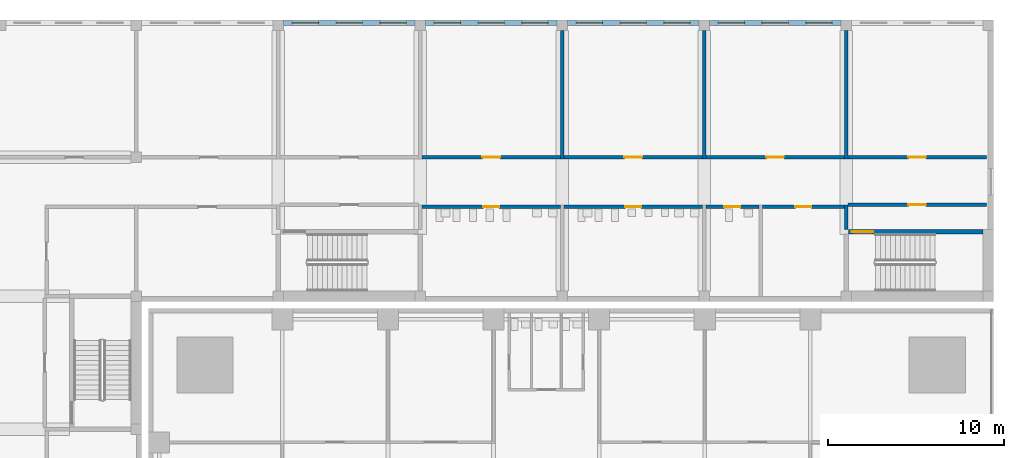
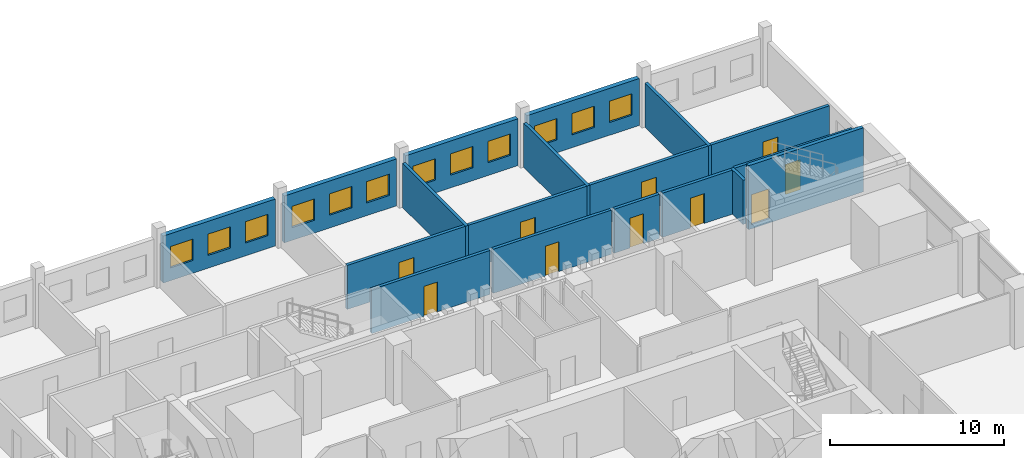
# One storey, part 17 of 25: 18 walls, 12 windows, 10 doors, 22 openings.
"""IFC4 building model written with IfcOpenShell, lengths in metres."""

from ifc_helpers import new_model, si_unit, direction, frame, frame_2d, origin, place, context, subcontext, project, spatial, rectangle, extrude, material, layer, layer_set, type_object, element, fill, save


model = new_model("IFC4")

# Units and contexts
model_context = context("Model", 3, precision=1e-05, world=origin(), true_north=direction((0.0, 1.0)))
body_context = subcontext(model_context, "Body", "Model", "MODEL_VIEW")
ifc_project = project(units=[si_unit("LENGTHUNIT", "METRE"), si_unit("AREAUNIT", "SQUARE_METRE"), si_unit("VOLUMEUNIT", "CUBIC_METRE"), si_unit("PLANEANGLEUNIT", "RADIAN"), si_unit("MASSUNIT", "GRAM", prefix="KILO")], contexts=[model_context])

# Site, building, storey
site_placement = place(None, origin())
site = spatial("IfcSite", under=ifc_project, at=site_placement, CompositionType="ELEMENT")
building_placement = place(site_placement, origin())
building = spatial("IfcBuilding", under=site, at=building_placement, Name="Amberfall Residences", CompositionType="ELEMENT")
storey_placement = place(building_placement, frame((0.0, 0.0, 10.0)))
storey = spatial("IfcBuildingStorey", under=building, at=storey_placement, Name="L02", CompositionType="ELEMENT", Elevation=10.0)

# Wall, openings, windows
ifc_material_1 = material(Name="Aerated block wall")
ifc_layer_1 = layer(ifc_material_1, 0.300048828125)
ifc_layer_set_1 = layer_set([ifc_layer_1], Name="School external wall 300")
wall_type_1 = type_object("IfcWallType", Name="School external wall 300", PredefinedType="SOLIDWALL", material=ifc_layer_set_1)
wall_1_placement = place(storey_placement, frame((59.6669921875, 84.25, 0.0), z_axis=(0.0, 0.0, 1.0), x_axis=(1.0, 0.0, 0.0)))
wall_1 = element("IfcWall", 1, at=wall_1_placement, inside=storey, type_object=wall_type_1, Name="School external wall L02 EN3", PredefinedType="SOLIDWALL", context=body_context, shape_type="SweptSolid", body=[
    extrude(rectangle(XDim=7.466064453125, YDim=0.300048828125, at=frame_2d((3.73291015625, 0.0))), origin(), (0.0, 0.0, 1.0), 3.300048828125),
])
opening_1_placement = place(wall_1_placement, frame((0.494384765625, 0.0, 0.89990234375)))
opening_1 = element("IfcOpeningElement", 2, at=opening_1_placement, cuts=wall_1, Name="Opening SWN1", PredefinedType="OPENING", context=body_context, shape_type="SweptSolid", body=[
    extrude(rectangle(XDim=1.5, YDim=1.5, at=frame_2d((0.75, 0.75))), frame((0.0, 0.159912109375, 0.0), z_axis=(0.0, -1.0, 0.0), x_axis=(1.0, 0.0, 0.0)), (0.0, 0.0, 1.0), 0.320068359375),
])
opening_2_placement = place(wall_1_placement, frame((2.98291015625, 0.0, 0.89990234375)))
opening_2 = element("IfcOpeningElement", 3, at=opening_2_placement, cuts=wall_1, Name="Opening SWN1", PredefinedType="OPENING", context=body_context, shape_type="SweptSolid", body=[
    extrude(rectangle(XDim=1.5, YDim=1.5, at=frame_2d((0.75, 0.75))), frame((0.0, 0.159912109375, 0.0), z_axis=(0.0, -1.0, 0.0), x_axis=(1.0, 0.0, 0.0)), (0.0, 0.0, 1.0), 0.320068359375),
])
opening_3_placement = place(wall_1_placement, frame((5.4716796875, 0.0, 0.89990234375)))
opening_3 = element("IfcOpeningElement", 4, at=opening_3_placement, cuts=wall_1, Name="Opening SWN1", PredefinedType="OPENING", context=body_context, shape_type="SweptSolid", body=[
    extrude(rectangle(XDim=1.5, YDim=1.5, at=frame_2d((0.75, 0.75))), frame((0.0, 0.159912109375, 0.0), z_axis=(0.0, -1.0, 0.0), x_axis=(1.0, 0.0, 0.0)), (0.0, 0.0, 1.0), 0.320068359375),
])
ifc_material_2 = material(Name="Aluminium window", Category="aluminium")
window_type = type_object("IfcWindowType", Name="School window 1500 x 1500", PartitioningType="DOUBLE_PANEL_HORIZONTAL", PredefinedType="WINDOW", material=ifc_material_2)
window_1_placement = place(opening_1_placement, origin())
window_1 = element("IfcWindow", 5, at=window_1_placement, inside=storey, type_object=window_type, Name="School window L02 EN3-1", OverallHeight=1.5, OverallWidth=1.5, PartitioningType="DOUBLE_PANEL_HORIZONTAL", PredefinedType="WINDOW", context=body_context, shape_type="SweptSolid", body=[
    extrude(rectangle(XDim=1.5, YDim=1.5, at=frame_2d((0.75, 0.75))), frame((0.0, 0.030029296875, 0.0), z_axis=(0.0, -1.0, 0.0), x_axis=(1.0, 0.0, 0.0)), (0.0, 0.0, 1.0), 0.06005859375),
])
fill(opening_1, window_1)
window_2_placement = place(opening_2_placement, origin())
window_2 = element("IfcWindow", 6, at=window_2_placement, inside=storey, type_object=window_type, Name="School window L02 EN3-2", OverallHeight=1.5, OverallWidth=1.5, PartitioningType="DOUBLE_PANEL_HORIZONTAL", PredefinedType="WINDOW", context=body_context, shape_type="SweptSolid", body=[
    extrude(rectangle(XDim=1.5, YDim=1.5, at=frame_2d((0.75, 0.75))), frame((0.0, 0.030029296875, 0.0), z_axis=(0.0, -1.0, 0.0), x_axis=(1.0, 0.0, 0.0)), (0.0, 0.0, 1.0), 0.06005859375),
])
fill(opening_2, window_2)
window_3_placement = place(opening_3_placement, origin())
window_3 = element("IfcWindow", 7, at=window_3_placement, inside=storey, type_object=window_type, Name="School window L02 EN3-3", OverallHeight=1.5, OverallWidth=1.5, PartitioningType="DOUBLE_PANEL_HORIZONTAL", PredefinedType="WINDOW", context=body_context, shape_type="SweptSolid", body=[
    extrude(rectangle(XDim=1.5, YDim=1.5, at=frame_2d((0.75, 0.75))), frame((0.0, 0.030029296875, 0.0), z_axis=(0.0, -1.0, 0.0), x_axis=(1.0, 0.0, 0.0)), (0.0, 0.0, 1.0), 0.06005859375),
])
fill(opening_3, window_3)

wall_2_placement = place(storey_placement, frame((67.73291015625, 84.25, 0.0), z_axis=(0.0, 0.0, 1.0), x_axis=(1.0, 0.0, 0.0)))
wall_2 = element("IfcWall", 8, at=wall_2_placement, inside=storey, type_object=wall_type_1, Name="School external wall L02 EN4", PredefinedType="SOLIDWALL", context=body_context, shape_type="SweptSolid", body=[
    extrude(rectangle(XDim=7.467041015625, YDim=0.300048828125, at=frame_2d((3.7333984375, 0.0))), origin(), (0.0, 0.0, 1.0), 3.300048828125),
])
opening_4_placement = place(wall_2_placement, frame((0.494384765625, 0.0, 0.89990234375)))
opening_4 = element("IfcOpeningElement", 9, at=opening_4_placement, cuts=wall_2, Name="Opening SWN1", PredefinedType="OPENING", context=body_context, shape_type="SweptSolid", body=[
    extrude(rectangle(XDim=1.5, YDim=1.5, at=frame_2d((0.75, 0.75))), frame((0.0, 0.159912109375, 0.0), z_axis=(0.0, -1.0, 0.0), x_axis=(1.0, 0.0, 0.0)), (0.0, 0.0, 1.0), 0.320068359375),
])
opening_5_placement = place(wall_2_placement, frame((2.9833984375, 0.0, 0.89990234375)))
opening_5 = element("IfcOpeningElement", 10, at=opening_5_placement, cuts=wall_2, Name="Opening SWN1", PredefinedType="OPENING", context=body_context, shape_type="SweptSolid", body=[
    extrude(rectangle(XDim=1.5, YDim=1.5, at=frame_2d((0.75, 0.75))), frame((0.0, 0.159912109375, 0.0), z_axis=(0.0, -1.0, 0.0), x_axis=(1.0, 0.0, 0.0)), (0.0, 0.0, 1.0), 0.320068359375),
])
opening_6_placement = place(wall_2_placement, frame((5.472412109375, 0.0, 0.89990234375)))
opening_6 = element("IfcOpeningElement", 11, at=opening_6_placement, cuts=wall_2, Name="Opening SWN1", PredefinedType="OPENING", context=body_context, shape_type="SweptSolid", body=[
    extrude(rectangle(XDim=1.5, YDim=1.5, at=frame_2d((0.75, 0.75))), frame((0.0, 0.159912109375, 0.0), z_axis=(0.0, -1.0, 0.0), x_axis=(1.0, 0.0, 0.0)), (0.0, 0.0, 1.0), 0.320068359375),
])
window_4_placement = place(opening_4_placement, origin())
window_4 = element("IfcWindow", 12, at=window_4_placement, inside=storey, type_object=window_type, Name="School window L02 EN4-1", OverallHeight=1.5, OverallWidth=1.5, PartitioningType="DOUBLE_PANEL_HORIZONTAL", PredefinedType="WINDOW", context=body_context, shape_type="SweptSolid", body=[
    extrude(rectangle(XDim=1.5, YDim=1.5, at=frame_2d((0.75, 0.75))), frame((0.0, 0.030029296875, 0.0), z_axis=(0.0, -1.0, 0.0), x_axis=(1.0, 0.0, 0.0)), (0.0, 0.0, 1.0), 0.06005859375),
])
fill(opening_4, window_4)
window_5_placement = place(opening_5_placement, origin())
window_5 = element("IfcWindow", 13, at=window_5_placement, inside=storey, type_object=window_type, Name="School window L02 EN4-2", OverallHeight=1.5, OverallWidth=1.5, PartitioningType="DOUBLE_PANEL_HORIZONTAL", PredefinedType="WINDOW", context=body_context, shape_type="SweptSolid", body=[
    extrude(rectangle(XDim=1.5, YDim=1.5, at=frame_2d((0.75, 0.75))), frame((0.0, 0.030029296875, 0.0), z_axis=(0.0, -1.0, 0.0), x_axis=(1.0, 0.0, 0.0)), (0.0, 0.0, 1.0), 0.06005859375),
])
fill(opening_5, window_5)
window_6_placement = place(opening_6_placement, origin())
window_6 = element("IfcWindow", 14, at=window_6_placement, inside=storey, type_object=window_type, Name="School window L02 EN4-3", OverallHeight=1.5, OverallWidth=1.5, PartitioningType="DOUBLE_PANEL_HORIZONTAL", PredefinedType="WINDOW", context=body_context, shape_type="SweptSolid", body=[
    extrude(rectangle(XDim=1.5, YDim=1.5, at=frame_2d((0.75, 0.75))), frame((0.0, 0.030029296875, 0.0), z_axis=(0.0, -1.0, 0.0), x_axis=(1.0, 0.0, 0.0)), (0.0, 0.0, 1.0), 0.06005859375),
])
fill(opening_6, window_6)

wall_3_placement = place(storey_placement, frame((75.800048828125, 84.25, 0.0), z_axis=(0.0, 0.0, 1.0), x_axis=(1.0, 0.0, 0.0)))
wall_3 = element("IfcWall", 15, at=wall_3_placement, inside=storey, type_object=wall_type_1, Name="School external wall L02 EN5", PredefinedType="SOLIDWALL", context=body_context, shape_type="SweptSolid", body=[
    extrude(rectangle(XDim=7.467041015625, YDim=0.300048828125, at=frame_2d((3.7333984375, 0.0))), origin(), (0.0, 0.0, 1.0), 3.300048828125),
])
opening_7_placement = place(wall_3_placement, frame((0.494384765625, 0.0, 0.89990234375)))
opening_7 = element("IfcOpeningElement", 16, at=opening_7_placement, cuts=wall_3, Name="Opening SWN1", PredefinedType="OPENING", context=body_context, shape_type="SweptSolid", body=[
    extrude(rectangle(XDim=1.5, YDim=1.5, at=frame_2d((0.75, 0.75))), frame((0.0, 0.159912109375, 0.0), z_axis=(0.0, -1.0, 0.0), x_axis=(1.0, 0.0, 0.0)), (0.0, 0.0, 1.0), 0.320068359375),
])
opening_8_placement = place(wall_3_placement, frame((2.9833984375, 0.0, 0.89990234375)))
opening_8 = element("IfcOpeningElement", 17, at=opening_8_placement, cuts=wall_3, Name="Opening SWN1", PredefinedType="OPENING", context=body_context, shape_type="SweptSolid", body=[
    extrude(rectangle(XDim=1.5, YDim=1.5, at=frame_2d((0.75, 0.75))), frame((0.0, 0.159912109375, 0.0), z_axis=(0.0, -1.0, 0.0), x_axis=(1.0, 0.0, 0.0)), (0.0, 0.0, 1.0), 0.320068359375),
])
opening_9_placement = place(wall_3_placement, frame((5.472412109375, 0.0, 0.89990234375)))
opening_9 = element("IfcOpeningElement", 18, at=opening_9_placement, cuts=wall_3, Name="Opening SWN1", PredefinedType="OPENING", context=body_context, shape_type="SweptSolid", body=[
    extrude(rectangle(XDim=1.5, YDim=1.5, at=frame_2d((0.75, 0.75))), frame((0.0, 0.159912109375, 0.0), z_axis=(0.0, -1.0, 0.0), x_axis=(1.0, 0.0, 0.0)), (0.0, 0.0, 1.0), 0.320068359375),
])
window_7_placement = place(opening_7_placement, origin())
window_7 = element("IfcWindow", 19, at=window_7_placement, inside=storey, type_object=window_type, Name="School window L02 EN5-1", OverallHeight=1.5, OverallWidth=1.5, PartitioningType="DOUBLE_PANEL_HORIZONTAL", PredefinedType="WINDOW", context=body_context, shape_type="SweptSolid", body=[
    extrude(rectangle(XDim=1.5, YDim=1.5, at=frame_2d((0.75, 0.75))), frame((0.0, 0.030029296875, 0.0), z_axis=(0.0, -1.0, 0.0), x_axis=(1.0, 0.0, 0.0)), (0.0, 0.0, 1.0), 0.06005859375),
])
fill(opening_7, window_7)
window_8_placement = place(opening_8_placement, origin())
window_8 = element("IfcWindow", 20, at=window_8_placement, inside=storey, type_object=window_type, Name="School window L02 EN5-2", OverallHeight=1.5, OverallWidth=1.5, PartitioningType="DOUBLE_PANEL_HORIZONTAL", PredefinedType="WINDOW", context=body_context, shape_type="SweptSolid", body=[
    extrude(rectangle(XDim=1.5, YDim=1.5, at=frame_2d((0.75, 0.75))), frame((0.0, 0.030029296875, 0.0), z_axis=(0.0, -1.0, 0.0), x_axis=(1.0, 0.0, 0.0)), (0.0, 0.0, 1.0), 0.06005859375),
])
fill(opening_8, window_8)
window_9_placement = place(opening_9_placement, origin())
window_9 = element("IfcWindow", 21, at=window_9_placement, inside=storey, type_object=window_type, Name="School window L02 EN5-3", OverallHeight=1.5, OverallWidth=1.5, PartitioningType="DOUBLE_PANEL_HORIZONTAL", PredefinedType="WINDOW", context=body_context, shape_type="SweptSolid", body=[
    extrude(rectangle(XDim=1.5, YDim=1.5, at=frame_2d((0.75, 0.75))), frame((0.0, 0.030029296875, 0.0), z_axis=(0.0, -1.0, 0.0), x_axis=(1.0, 0.0, 0.0)), (0.0, 0.0, 1.0), 0.06005859375),
])
fill(opening_9, window_9)

wall_4_placement = place(storey_placement, frame((83.866943359375, 84.25, 0.0), z_axis=(0.0, 0.0, 1.0), x_axis=(1.0, 0.0, 0.0)))
wall_4 = element("IfcWall", 22, at=wall_4_placement, inside=storey, type_object=wall_type_1, Name="School external wall L02 EN6", PredefinedType="SOLIDWALL", context=body_context, shape_type="SweptSolid", body=[
    extrude(rectangle(XDim=7.466064453125, YDim=0.300048828125, at=frame_2d((3.73291015625, 0.0))), origin(), (0.0, 0.0, 1.0), 3.300048828125),
])
opening_10_placement = place(wall_4_placement, frame((0.494384765625, 0.0, 0.89990234375)))
opening_10 = element("IfcOpeningElement", 23, at=opening_10_placement, cuts=wall_4, Name="Opening SWN1", PredefinedType="OPENING", context=body_context, shape_type="SweptSolid", body=[
    extrude(rectangle(XDim=1.5, YDim=1.5, at=frame_2d((0.75, 0.75))), frame((0.0, 0.159912109375, 0.0), z_axis=(0.0, -1.0, 0.0), x_axis=(1.0, 0.0, 0.0)), (0.0, 0.0, 1.0), 0.320068359375),
])
opening_11_placement = place(wall_4_placement, frame((2.98291015625, 0.0, 0.89990234375)))
opening_11 = element("IfcOpeningElement", 24, at=opening_11_placement, cuts=wall_4, Name="Opening SWN1", PredefinedType="OPENING", context=body_context, shape_type="SweptSolid", body=[
    extrude(rectangle(XDim=1.5, YDim=1.5, at=frame_2d((0.75, 0.75))), frame((0.0, 0.159912109375, 0.0), z_axis=(0.0, -1.0, 0.0), x_axis=(1.0, 0.0, 0.0)), (0.0, 0.0, 1.0), 0.320068359375),
])
opening_12_placement = place(wall_4_placement, frame((5.4716796875, 0.0, 0.89990234375)))
opening_12 = element("IfcOpeningElement", 25, at=opening_12_placement, cuts=wall_4, Name="Opening SWN1", PredefinedType="OPENING", context=body_context, shape_type="SweptSolid", body=[
    extrude(rectangle(XDim=1.5, YDim=1.5, at=frame_2d((0.75, 0.75))), frame((0.0, 0.159912109375, 0.0), z_axis=(0.0, -1.0, 0.0), x_axis=(1.0, 0.0, 0.0)), (0.0, 0.0, 1.0), 0.320068359375),
])
window_10_placement = place(opening_10_placement, origin())
window_10 = element("IfcWindow", 26, at=window_10_placement, inside=storey, type_object=window_type, Name="School window L02 EN6-1", OverallHeight=1.5, OverallWidth=1.5, PartitioningType="DOUBLE_PANEL_HORIZONTAL", PredefinedType="WINDOW", context=body_context, shape_type="SweptSolid", body=[
    extrude(rectangle(XDim=1.5, YDim=1.5, at=frame_2d((0.75, 0.75))), frame((0.0, 0.030029296875, 0.0), z_axis=(0.0, -1.0, 0.0), x_axis=(1.0, 0.0, 0.0)), (0.0, 0.0, 1.0), 0.06005859375),
])
fill(opening_10, window_10)
window_11_placement = place(opening_11_placement, origin())
window_11 = element("IfcWindow", 27, at=window_11_placement, inside=storey, type_object=window_type, Name="School window L02 EN6-2", OverallHeight=1.5, OverallWidth=1.5, PartitioningType="DOUBLE_PANEL_HORIZONTAL", PredefinedType="WINDOW", context=body_context, shape_type="SweptSolid", body=[
    extrude(rectangle(XDim=1.5, YDim=1.5, at=frame_2d((0.75, 0.75))), frame((0.0, 0.030029296875, 0.0), z_axis=(0.0, -1.0, 0.0), x_axis=(1.0, 0.0, 0.0)), (0.0, 0.0, 1.0), 0.06005859375),
])
fill(opening_11, window_11)
window_12_placement = place(opening_12_placement, origin())
window_12 = element("IfcWindow", 28, at=window_12_placement, inside=storey, type_object=window_type, Name="School window L02 EN6-3", OverallHeight=1.5, OverallWidth=1.5, PartitioningType="DOUBLE_PANEL_HORIZONTAL", PredefinedType="WINDOW", context=body_context, shape_type="SweptSolid", body=[
    extrude(rectangle(XDim=1.5, YDim=1.5, at=frame_2d((0.75, 0.75))), frame((0.0, 0.030029296875, 0.0), z_axis=(0.0, -1.0, 0.0), x_axis=(1.0, 0.0, 0.0)), (0.0, 0.0, 1.0), 0.06005859375),
])
fill(opening_12, window_12)

# Wall, opening, door
ifc_layer_2 = layer(ifc_material_1, 0.199951171875)
ifc_layer_set_2 = layer_set([ifc_layer_2], Name="School partition 200")
wall_type_2 = type_object("IfcWallType", Name="School partition 200", PredefinedType="PARTITIONING", material=ifc_layer_set_2)
wall_5_placement = place(storey_placement, frame((67.532958984375, 76.60009765625, 0.0), z_axis=(0.0, 0.0, 1.0), x_axis=(1.0, 0.0, 0.0)))
wall_5 = element("IfcWall", 29, at=wall_5_placement, inside=storey, type_object=wall_type_2, Name="School partition L02 CWN268", PredefinedType="PARTITIONING", context=body_context, shape_type="SweptSolid", body=[
    extrude(rectangle(XDim=7.866943359375, YDim=0.199951171875, at=frame_2d((3.93359375, 0.0))), origin(), (0.0, 0.0, 1.0), 3.10009765625),
])
opening_13_placement = place(wall_5_placement, frame((3.43359375, 0.0, 0.0)))
opening_13 = element("IfcOpeningElement", 30, at=opening_13_placement, cuts=wall_5, Name="Opening SD5", PredefinedType="OPENING", context=body_context, shape_type="SweptSolid", body=[
    extrude(rectangle(XDim=1.0, YDim=2.10009765625, at=frame_2d((0.5, 1.050048828125))), frame((0.0, 0.10986328125, 0.0), z_axis=(0.0, -1.0, 0.0), x_axis=(1.0, 0.0, 0.0)), (0.0, 0.0, 1.0), 0.219970703125),
])
ifc_material_3 = material(Name="Timber door", Category="wood")
door_type_1 = type_object("IfcDoorType", Name="School classroom door 1000 x 2100", OperationType="SINGLE_SWING_LEFT", PredefinedType="DOOR", material=ifc_material_3)
door_1_placement = place(opening_13_placement, origin())
door_1 = element("IfcDoor", 31, at=door_1_placement, inside=storey, type_object=door_type_1, Name="School door L02 CWN268-1", OperationType="SINGLE_SWING_LEFT", OverallHeight=2.10009765625, OverallWidth=1.0, PredefinedType="DOOR", context=body_context, shape_type="SweptSolid", body=[
    extrude(rectangle(XDim=1.0, YDim=2.10009765625, at=frame_2d((0.5, 1.050048828125))), frame((0.0, 0.02490234375, 0.0), z_axis=(0.0, -1.0, 0.0), x_axis=(1.0, 0.0, 0.0)), (0.0, 0.0, 1.0), 0.050048828125),
])
fill(opening_13, door_1)

wall_6_placement = place(storey_placement, frame((75.60009765625, 76.60009765625, 0.0), z_axis=(0.0, 0.0, 1.0), x_axis=(1.0, 0.0, 0.0)))
wall_6 = element("IfcWall", 32, at=wall_6_placement, inside=storey, type_object=wall_type_2, Name="School partition L02 CWN376", PredefinedType="PARTITIONING", context=body_context, shape_type="SweptSolid", body=[
    extrude(rectangle(XDim=7.866943359375, YDim=0.199951171875, at=frame_2d((3.93359375, 0.0))), origin(), (0.0, 0.0, 1.0), 3.10009765625),
])
opening_14_placement = place(wall_6_placement, frame((3.43359375, 0.0, 0.0)))
opening_14 = element("IfcOpeningElement", 33, at=opening_14_placement, cuts=wall_6, Name="Opening SD5", PredefinedType="OPENING", context=body_context, shape_type="SweptSolid", body=[
    extrude(rectangle(XDim=1.0, YDim=2.10009765625, at=frame_2d((0.5, 1.050048828125))), frame((0.0, 0.10986328125, 0.0), z_axis=(0.0, -1.0, 0.0), x_axis=(1.0, 0.0, 0.0)), (0.0, 0.0, 1.0), 0.219970703125),
])
door_2_placement = place(opening_14_placement, origin())
door_2 = element("IfcDoor", 34, at=door_2_placement, inside=storey, type_object=door_type_1, Name="School door L02 CWN376-1", OperationType="SINGLE_SWING_LEFT", OverallHeight=2.10009765625, OverallWidth=1.0, PredefinedType="DOOR", context=body_context, shape_type="SweptSolid", body=[
    extrude(rectangle(XDim=1.0, YDim=2.10009765625, at=frame_2d((0.5, 1.050048828125))), frame((0.0, 0.02490234375, 0.0), z_axis=(0.0, -1.0, 0.0), x_axis=(1.0, 0.0, 0.0)), (0.0, 0.0, 1.0), 0.050048828125),
])
fill(opening_14, door_2)

wall_7_placement = place(storey_placement, frame((83.6669921875, 76.60009765625, 0.0), z_axis=(0.0, 0.0, 1.0), x_axis=(1.0, 0.0, 0.0)))
wall_7 = element("IfcWall", 35, at=wall_7_placement, inside=storey, type_object=wall_type_2, Name="School partition L02 CWN484", PredefinedType="PARTITIONING", context=body_context, shape_type="SweptSolid", body=[
    extrude(rectangle(XDim=7.865966796875, YDim=0.199951171875, at=frame_2d((3.93310546875, 0.0))), origin(), (0.0, 0.0, 1.0), 3.10009765625),
])
opening_15_placement = place(wall_7_placement, frame((3.43310546875, 0.0, 0.0)))
opening_15 = element("IfcOpeningElement", 36, at=opening_15_placement, cuts=wall_7, Name="Opening SD5", PredefinedType="OPENING", context=body_context, shape_type="SweptSolid", body=[
    extrude(rectangle(XDim=1.0, YDim=2.10009765625, at=frame_2d((0.5, 1.050048828125))), frame((0.0, 0.10986328125, 0.0), z_axis=(0.0, -1.0, 0.0), x_axis=(1.0, 0.0, 0.0)), (0.0, 0.0, 1.0), 0.219970703125),
])
door_3_placement = place(opening_15_placement, origin())
door_3 = element("IfcDoor", 37, at=door_3_placement, inside=storey, type_object=door_type_1, Name="School door L02 CWN484-1", OperationType="SINGLE_SWING_LEFT", OverallHeight=2.10009765625, OverallWidth=1.0, PredefinedType="DOOR", context=body_context, shape_type="SweptSolid", body=[
    extrude(rectangle(XDim=1.0, YDim=2.10009765625, at=frame_2d((0.5, 1.050048828125))), frame((0.0, 0.02490234375, 0.0), z_axis=(0.0, -1.0, 0.0), x_axis=(1.0, 0.0, 0.0)), (0.0, 0.0, 1.0), 0.050048828125),
])
fill(opening_15, door_3)

wall_8_placement = place(storey_placement, frame((91.73291015625, 76.60009765625, 0.0), z_axis=(0.0, 0.0, 1.0), x_axis=(1.0, 0.0, 0.0)))
wall_8 = element("IfcWall", 38, at=wall_8_placement, inside=storey, type_object=wall_type_2, Name="School partition L02 CWN592", PredefinedType="PARTITIONING", context=body_context, shape_type="SweptSolid", body=[
    extrude(rectangle(XDim=7.8671875, YDim=0.199951171875, at=frame_2d((3.93359375, 0.0))), origin(), (0.0, 0.0, 1.0), 3.10009765625),
])
opening_16_placement = place(wall_8_placement, frame((3.43359375, 0.0, 0.0)))
opening_16 = element("IfcOpeningElement", 39, at=opening_16_placement, cuts=wall_8, Name="Opening SD5", PredefinedType="OPENING", context=body_context, shape_type="SweptSolid", body=[
    extrude(rectangle(XDim=1.0, YDim=2.10009765625, at=frame_2d((0.5, 1.050048828125))), frame((0.0, 0.10986328125, 0.0), z_axis=(0.0, -1.0, 0.0), x_axis=(1.0, 0.0, 0.0)), (0.0, 0.0, 1.0), 0.219970703125),
])
door_4_placement = place(opening_16_placement, origin())
door_4 = element("IfcDoor", 40, at=door_4_placement, inside=storey, type_object=door_type_1, Name="School door L02 CWN592-1", OperationType="SINGLE_SWING_LEFT", OverallHeight=2.10009765625, OverallWidth=1.0, PredefinedType="DOOR", context=body_context, shape_type="SweptSolid", body=[
    extrude(rectangle(XDim=1.0, YDim=2.10009765625, at=frame_2d((0.5, 1.050048828125))), frame((0.0, 0.02490234375, 0.0), z_axis=(0.0, -1.0, 0.0), x_axis=(1.0, 0.0, 0.0)), (0.0, 0.0, 1.0), 0.050048828125),
])
fill(opening_16, door_4)

# Walls
for number, where, z_axis, x_axis, name in (
    (41, (75.5, 76.5, 0.0), (0.0, 0.0, 1.0), (0.0, 1.0, 0.0), "School partition L02 PN7550"),
    (42, (83.56689453125, 76.5, 0.0), (0.0, 0.0, 1.0), (0.0, 1.0, 0.0), "School partition L02 PN8357"),
    (43, (91.633056640625, 76.5, 0.0), (0.0, 0.0, 1.0), (0.0, 1.0, 0.0), "School partition L02 PN9163"),
):
    element("IfcWall", number, at=place(storey_placement, frame(where, z_axis=z_axis, x_axis=x_axis)), inside=storey, type_object=wall_type_2, Name=name, PredefinedType="PARTITIONING", context=body_context, shape_type="SweptSolid", body=[
        extrude(rectangle(XDim=7.300048828125, YDim=0.199951171875, at=frame_2d((3.64990234375, 0.0))), origin(), (0.0, 0.0, 1.0), 3.10009765625),
    ])

# Wall, opening, door
wall_9_placement = place(storey_placement, frame((67.532958984375, 73.800048828125, 0.0), z_axis=(0.0, 0.0, 1.0), x_axis=(1.0, 0.0, 0.0)))
wall_9 = element("IfcWall", 44, at=wall_9_placement, inside=storey, type_object=wall_type_2, Name="School partition L02 CWS68", PredefinedType="PARTITIONING", context=body_context, shape_type="SweptSolid", body=[
    extrude(rectangle(XDim=7.866943359375, YDim=0.199951171875, at=frame_2d((3.93359375, 0.0))), origin(), (0.0, 0.0, 1.0), 3.10009765625),
])
opening_17_placement = place(wall_9_placement, frame((3.4833984375, 0.0, 0.0)))
opening_17 = element("IfcOpeningElement", 45, at=opening_17_placement, cuts=wall_9, Name="Opening SD2", PredefinedType="OPENING", context=body_context, shape_type="SweptSolid", body=[
    extrude(rectangle(XDim=0.89990234375, YDim=2.10009765625, at=frame_2d((0.449951171875, 1.050048828125))), frame((0.0, 0.10986328125, 0.0), z_axis=(0.0, -1.0, 0.0), x_axis=(1.0, 0.0, 0.0)), (0.0, 0.0, 1.0), 0.219970703125),
])
door_type_2 = type_object("IfcDoorType", Name="School WC door 900 x 2100", OperationType="SINGLE_SWING_LEFT", PredefinedType="DOOR", material=ifc_material_3)
door_5_placement = place(opening_17_placement, origin())
door_5 = element("IfcDoor", 46, at=door_5_placement, inside=storey, type_object=door_type_2, Name="School door L02 CWS68-1", OperationType="SINGLE_SWING_LEFT", OverallHeight=2.10009765625, OverallWidth=0.89990234375, PredefinedType="DOOR", context=body_context, shape_type="SweptSolid", body=[
    extrude(rectangle(XDim=0.89990234375, YDim=2.10009765625, at=frame_2d((0.449951171875, 1.050048828125))), frame((0.0, 0.02490234375, 0.0), z_axis=(0.0, -1.0, 0.0), x_axis=(1.0, 0.0, 0.0)), (0.0, 0.0, 1.0), 0.050048828125),
])
fill(opening_17, door_5)

wall_10_placement = place(storey_placement, frame((75.60009765625, 73.800048828125, 0.0), z_axis=(0.0, 0.0, 1.0), x_axis=(1.0, 0.0, 0.0)))
wall_10 = element("IfcWall", 47, at=wall_10_placement, inside=storey, type_object=wall_type_2, Name="School partition L02 CWS76", PredefinedType="PARTITIONING", context=body_context, shape_type="SweptSolid", body=[
    extrude(rectangle(XDim=7.866943359375, YDim=0.199951171875, at=frame_2d((3.93359375, 0.0))), origin(), (0.0, 0.0, 1.0), 3.10009765625),
])
opening_18_placement = place(wall_10_placement, frame((3.4833984375, 0.0, 0.0)))
opening_18 = element("IfcOpeningElement", 48, at=opening_18_placement, cuts=wall_10, Name="Opening SD2", PredefinedType="OPENING", context=body_context, shape_type="SweptSolid", body=[
    extrude(rectangle(XDim=0.89990234375, YDim=2.10009765625, at=frame_2d((0.449951171875, 1.050048828125))), frame((0.0, 0.10986328125, 0.0), z_axis=(0.0, -1.0, 0.0), x_axis=(1.0, 0.0, 0.0)), (0.0, 0.0, 1.0), 0.219970703125),
])
door_6_placement = place(opening_18_placement, origin())
door_6 = element("IfcDoor", 49, at=door_6_placement, inside=storey, type_object=door_type_2, Name="School door L02 CWS76-1", OperationType="SINGLE_SWING_LEFT", OverallHeight=2.10009765625, OverallWidth=0.89990234375, PredefinedType="DOOR", context=body_context, shape_type="SweptSolid", body=[
    extrude(rectangle(XDim=0.89990234375, YDim=2.10009765625, at=frame_2d((0.449951171875, 1.050048828125))), frame((0.0, 0.02490234375, 0.0), z_axis=(0.0, -1.0, 0.0), x_axis=(1.0, 0.0, 0.0)), (0.0, 0.0, 1.0), 0.050048828125),
])
fill(opening_18, door_6)

wall_11_placement = place(storey_placement, frame((83.6669921875, 73.800048828125, 0.0), z_axis=(0.0, 0.0, 1.0), x_axis=(1.0, 0.0, 0.0)))
wall_11 = element("IfcWall", 50, at=wall_11_placement, inside=storey, type_object=wall_type_2, Name="School partition L02 CWS84", PredefinedType="PARTITIONING", context=body_context, shape_type="SweptSolid", body=[
    extrude(rectangle(XDim=3.0, YDim=0.199951171875, at=frame_2d((1.5, 0.0))), origin(), (0.0, 0.0, 1.0), 3.10009765625),
])
opening_19_placement = place(wall_11_placement, frame((1.050048828125, 0.0, 0.0)))
opening_19 = element("IfcOpeningElement", 51, at=opening_19_placement, cuts=wall_11, Name="Opening SD2", PredefinedType="OPENING", context=body_context, shape_type="SweptSolid", body=[
    extrude(rectangle(XDim=0.89990234375, YDim=2.10009765625, at=frame_2d((0.449951171875, 1.050048828125))), frame((0.0, 0.10986328125, 0.0), z_axis=(0.0, -1.0, 0.0), x_axis=(1.0, 0.0, 0.0)), (0.0, 0.0, 1.0), 0.219970703125),
])
door_7_placement = place(opening_19_placement, origin())
door_7 = element("IfcDoor", 52, at=door_7_placement, inside=storey, type_object=door_type_2, Name="School door L02 CWS84-1", OperationType="SINGLE_SWING_LEFT", OverallHeight=2.10009765625, OverallWidth=0.89990234375, PredefinedType="DOOR", context=body_context, shape_type="SweptSolid", body=[
    extrude(rectangle(XDim=0.89990234375, YDim=2.10009765625, at=frame_2d((0.449951171875, 1.050048828125))), frame((0.0, 0.02490234375, 0.0), z_axis=(0.0, -1.0, 0.0), x_axis=(1.0, 0.0, 0.0)), (0.0, 0.0, 1.0), 0.050048828125),
])
fill(opening_19, door_7)

wall_12_placement = place(storey_placement, frame((86.866943359375, 73.800048828125, 0.0), z_axis=(0.0, 0.0, 1.0), x_axis=(1.0, 0.0, 0.0)))
wall_12 = element("IfcWall", 53, at=wall_12_placement, inside=storey, type_object=wall_type_2, Name="School partition L02 CWS87", PredefinedType="PARTITIONING", context=body_context, shape_type="SweptSolid", body=[
    extrude(rectangle(XDim=4.666015625, YDim=0.199951171875, at=frame_2d((2.3330078125, 0.0))), origin(), (0.0, 0.0, 1.0), 3.10009765625),
])
opening_20_placement = place(wall_12_placement, frame((1.883056640625, 0.0, 0.0)))
opening_20 = element("IfcOpeningElement", 54, at=opening_20_placement, cuts=wall_12, Name="Opening SD2", PredefinedType="OPENING", context=body_context, shape_type="SweptSolid", body=[
    extrude(rectangle(XDim=0.89990234375, YDim=2.10009765625, at=frame_2d((0.449951171875, 1.050048828125))), frame((0.0, 0.10986328125, 0.0), z_axis=(0.0, -1.0, 0.0), x_axis=(1.0, 0.0, 0.0)), (0.0, 0.0, 1.0), 0.219970703125),
])
door_8_placement = place(opening_20_placement, origin())
door_8 = element("IfcDoor", 55, at=door_8_placement, inside=storey, type_object=door_type_2, Name="School door L02 CWS87-1", OperationType="SINGLE_SWING_LEFT", OverallHeight=2.10009765625, OverallWidth=0.89990234375, PredefinedType="DOOR", context=body_context, shape_type="SweptSolid", body=[
    extrude(rectangle(XDim=0.89990234375, YDim=2.10009765625, at=frame_2d((0.449951171875, 1.050048828125))), frame((0.0, 0.02490234375, 0.0), z_axis=(0.0, -1.0, 0.0), x_axis=(1.0, 0.0, 0.0)), (0.0, 0.0, 1.0), 0.050048828125),
])
fill(opening_20, door_8)

# Wall
wall_13_placement = place(storey_placement, frame((91.633056640625, 72.5, 0.0), z_axis=(0.0, 0.0, 1.0), x_axis=(0.0, 1.0, 0.0)))
element("IfcWall", 56, at=wall_13_placement, inside=storey, type_object=wall_type_2, Name="School partition L02 PSA5", PredefinedType="PARTITIONING", context=body_context, shape_type="SweptSolid", body=[
    extrude(rectangle(XDim=1.39990234375, YDim=0.199951171875, at=frame_2d((0.699951171875, 0.0))), origin(), (0.0, 0.0, 1.0), 3.10009765625),
])

# Wall, opening, door
wall_14_placement = place(storey_placement, frame((91.73291015625, 73.89990234375, 0.0), z_axis=(0.0, 0.0, 1.0), x_axis=(1.0, 0.0, 0.0)))
wall_14 = element("IfcWall", 57, at=wall_14_placement, inside=storey, type_object=wall_type_2, Name="School partition L02 CWLSS5", PredefinedType="PARTITIONING", context=body_context, shape_type="SweptSolid", body=[
    extrude(rectangle(XDim=7.8671875, YDim=0.199951171875, at=frame_2d((3.93359375, 0.0))), origin(), (0.0, 0.0, 1.0), 3.10009765625),
])
opening_21_placement = place(wall_14_placement, frame((3.43359375, 0.0, 0.0)))
opening_21 = element("IfcOpeningElement", 58, at=opening_21_placement, cuts=wall_14, Name="Opening SD8", PredefinedType="OPENING", context=body_context, shape_type="SweptSolid", body=[
    extrude(rectangle(XDim=1.0, YDim=2.10009765625, at=frame_2d((0.5, 1.050048828125))), frame((0.0, 0.10986328125, 0.0), z_axis=(0.0, -1.0, 0.0), x_axis=(1.0, 0.0, 0.0)), (0.0, 0.0, 1.0), 0.219970703125),
])
door_type_3 = type_object("IfcDoorType", Name="School lobby door 1000 x 2100", OperationType="SINGLE_SWING_LEFT", PredefinedType="DOOR", material=ifc_material_3)
door_9_placement = place(opening_21_placement, origin())
door_9 = element("IfcDoor", 59, at=door_9_placement, inside=storey, type_object=door_type_3, Name="School door L02 CWLSS5-1", OperationType="SINGLE_SWING_LEFT", OverallHeight=2.10009765625, OverallWidth=1.0, PredefinedType="DOOR", context=body_context, shape_type="SweptSolid", body=[
    extrude(rectangle(XDim=1.0, YDim=2.10009765625, at=frame_2d((0.5, 1.050048828125))), frame((0.0, 0.02490234375, 0.0), z_axis=(0.0, -1.0, 0.0), x_axis=(1.0, 0.0, 0.0)), (0.0, 0.0, 1.0), 0.050048828125),
])
fill(opening_21, door_9)

ifc_material_4 = material(Name="Concrete C50", Category="concrete")
ifc_layer_3 = layer(ifc_material_4, 0.25)
ifc_layer_set_3 = layer_set([ifc_layer_3], Name="School stair core wall 250 C50")
wall_type_3 = type_object("IfcWallType", Name="School stair core wall 250 C50", PredefinedType="SHEAR", material=ifc_layer_set_3)
wall_15_placement = place(storey_placement, frame((91.758056640625, 72.375, -0.300048828125), z_axis=(0.0, 0.0, 1.0), x_axis=(1.0, 0.0, 0.0)))
wall_15 = element("IfcWall", 60, at=wall_15_placement, inside=storey, type_object=wall_type_3, Name="School core wall L02 SS5N", PredefinedType="SHEAR", context=body_context, shape_type="SweptSolid", body=[
    extrude(rectangle(XDim=7.641845703125, YDim=0.25, at=frame_2d((3.82080078125, 0.0))), origin(), (0.0, 0.0, 1.0), 4.5),
])
opening_22_placement = place(wall_15_placement, frame((0.199951171875, 0.0, 0.300048828125)))
opening_22 = element("IfcOpeningElement", 61, at=opening_22_placement, cuts=wall_15, Name="Opening SD4", PredefinedType="OPENING", context=body_context, shape_type="SweptSolid", body=[
    extrude(rectangle(XDim=1.199951171875, YDim=2.10009765625, at=frame_2d((0.60009765625, 1.050048828125))), frame((0.0, 0.135009765625, 0.0), z_axis=(0.0, -1.0, 0.0), x_axis=(1.0, 0.0, 0.0)), (0.0, 0.0, 1.0), 0.27001953125),
])
ifc_material_5 = material(Name="Steel fire door", Category="steel")
door_type_4 = type_object("IfcDoorType", Name="School stair door 1200 x 2100 FD120", OperationType="SINGLE_SWING_LEFT", PredefinedType="DOOR", material=ifc_material_5)
door_10_placement = place(opening_22_placement, origin())
door_10 = element("IfcDoor", 62, at=door_10_placement, inside=storey, type_object=door_type_4, Name="School stair door L02 SS5", OperationType="SINGLE_SWING_LEFT", OverallHeight=2.10009765625, OverallWidth=1.199951171875, PredefinedType="DOOR", context=body_context, shape_type="SweptSolid", body=[
    extrude(rectangle(XDim=1.199951171875, YDim=2.10009765625, at=frame_2d((0.60009765625, 1.050048828125))), frame((0.0, 0.02490234375, 0.0), z_axis=(0.0, -1.0, 0.0), x_axis=(1.0, 0.0, 0.0)), (0.0, 0.0, 1.0), 0.050048828125),
])
fill(opening_22, door_10)

save(model, "model.ifc")
